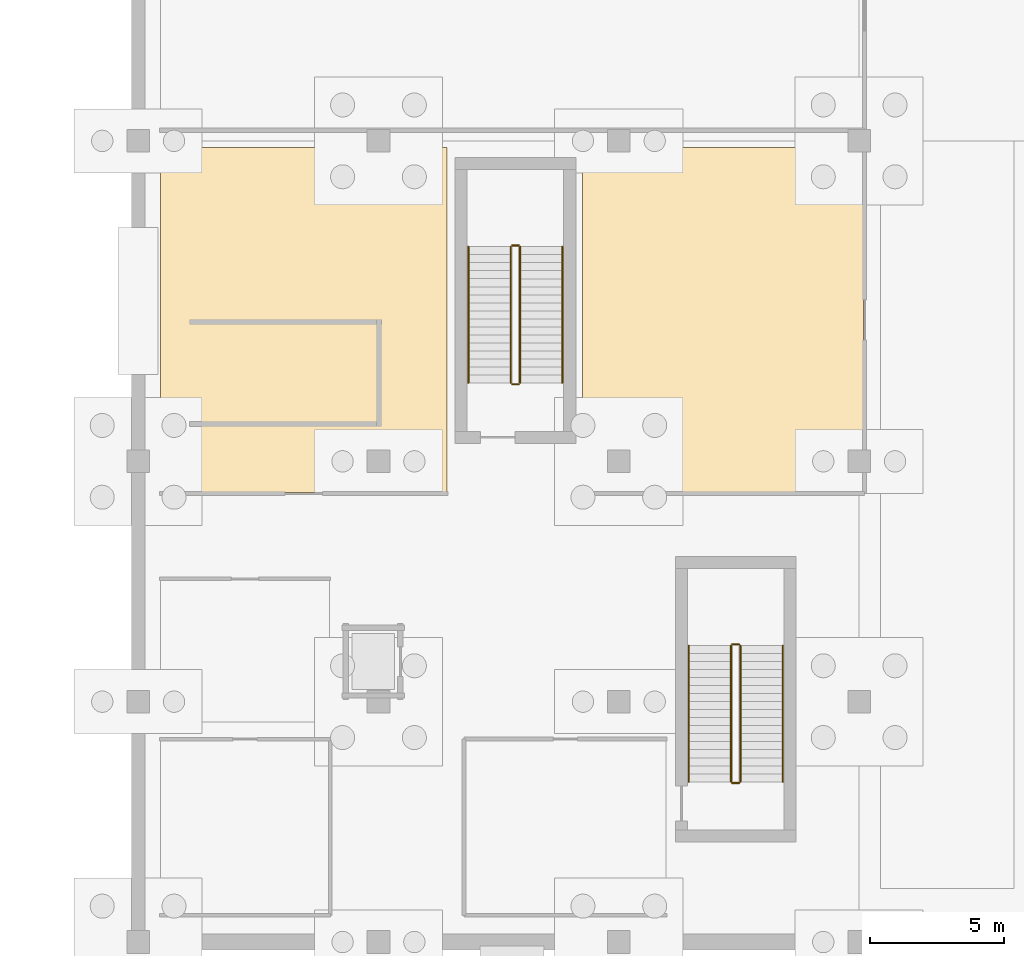
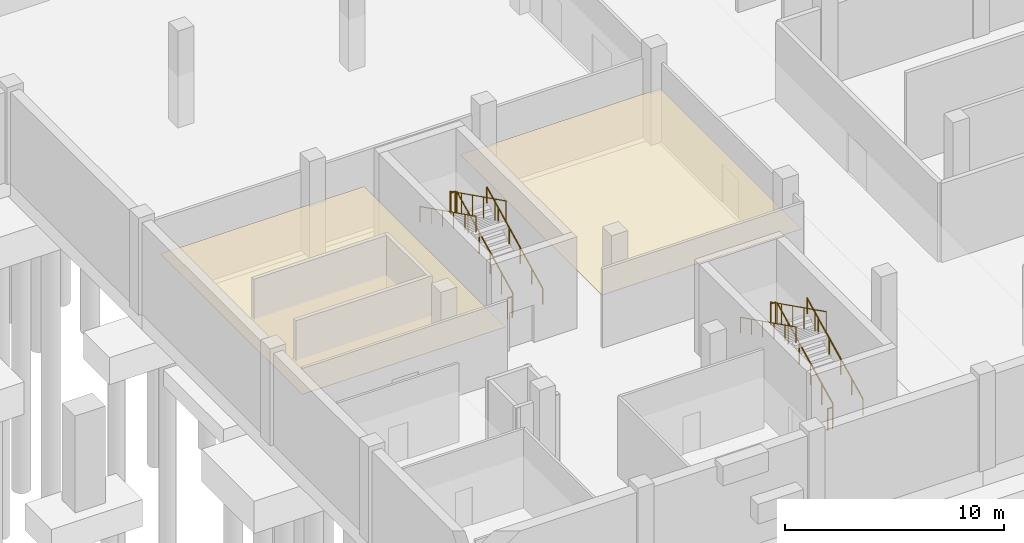
# One storey, part 22 of 26: 12 railings, 2 coverings.
"""IFC4 building model written with IfcOpenShell, lengths in metres."""

from ifc_helpers import new_model, si_unit, direction, frame, origin, origin_2d, place, context, subcontext, project, spatial, polyline, circle, outline, extrude, material, layer, layer_set, type_object, element, save


model = new_model("IFC4")

# Units and contexts
model_context = context("Model", 3, precision=1e-05, world=origin(), true_north=direction((0.0, 1.0)))
body_context = subcontext(model_context, "Body", "Model", "MODEL_VIEW")
ifc_project = project(units=[si_unit("LENGTHUNIT", "METRE"), si_unit("AREAUNIT", "SQUARE_METRE"), si_unit("VOLUMEUNIT", "CUBIC_METRE"), si_unit("PLANEANGLEUNIT", "RADIAN"), si_unit("MASSUNIT", "GRAM", prefix="KILO")], contexts=[model_context])

# Site, building, storey
site_placement = place(None, origin())
site = spatial("IfcSite", under=ifc_project, at=site_placement, CompositionType="ELEMENT")
building_placement = place(site_placement, origin())
building = spatial("IfcBuilding", under=site, at=building_placement, Name="Chuanluo Vaults Station", CompositionType="ELEMENT")
storey_placement = place(building_placement, frame((0.0, 0.0, -5.39990234375)))
storey = spatial("IfcBuildingStorey", under=building, at=storey_placement, Name="B1", CompositionType="ELEMENT", Elevation=-5.39990234375)

# Coverings
ifc_material_1 = material(Name="Acoustic mineral-fibre tile")
ifc_layer = layer(ifc_material_1, 0.02490234375)
ifc_layer_set = layer_set([ifc_layer], Name="Acoustic mineral-fibre tile")
covering_type = type_object("IfcCoveringType", Name="COV-CEIL-TILE", PredefinedType="CEILING", material=ifc_layer_set)
covering_1_placement = place(storey_placement, frame((0.0, 0.0, 2.849853515625)))
element("IfcCovering", 1, at=covering_1_placement, inside=storey, type_object=covering_type, Name="B1-07 suspended acoustic ceiling", PredefinedType="CEILING", context=body_context, shape_type="SweptSolid", body=[
    extrude(outline(polyline([(152.639892578125, 16.840087890625), (163.159912109375, 16.840087890625), (163.159912109375, 29.760009765625), (152.639892578125, 29.760009765625), (152.639892578125, 16.840087890625)])), origin(), (0.0, 0.0, 1.0), 0.025146484375),
])
covering_2_placement = place(storey_placement, frame((0.0, 0.0, 2.849853515625)))
element("IfcCovering", 2, at=covering_2_placement, inside=storey, type_object=covering_type, Name="B1-07B suspended acoustic ceiling", PredefinedType="CEILING", context=body_context, shape_type="SweptSolid", body=[
    extrude(outline(polyline([(136.840087890625, 16.840087890625), (147.56005859375, 16.840087890625), (147.56005859375, 29.760009765625), (136.840087890625, 29.760009765625), (136.840087890625, 16.840087890625)])), origin(), (0.0, 0.0, 1.0), 0.025146484375),
])

# Railings
ifc_material_2 = material(Name="Tempered laminated balustrade glass", Category="glass")
railing_type_1 = type_object("IfcRailingType", Name="RLG-GUARD-1200", PredefinedType="BALUSTRADE", material=ifc_material_2)
railing_1_placement = place(storey_placement, frame((150.302490234375, 20.9375, 0.14990234375)))
element("IfcRailing", 3, at=railing_1_placement, inside=storey, type_object=railing_type_1, Name="B1 ST-04 stair guard 1", PredefinedType="BALUSTRADE", context=body_context, shape_type="SweptSolid", body=[
    extrude(circle(Radius=0.02392578125, at=origin_2d()), frame((0.0, 0.0, 1.17578125), z_axis=(0.0, 0.894427191, 0.4472135955), x_axis=(-1.0, 0.0, 0.0)), (0.0, 0.0, 1.0), 5.7021484375),
    extrude(circle(Radius=0.02099609375, at=origin_2d()), origin(), (0.0, 0.0, 1.0), 1.15185546875),
    extrude(circle(Radius=0.02099609375, at=origin_2d()), frame((0.0, 1.02001953125, 0.510009765625)), (0.0, 0.0, 1.0), 1.15185546875),
    extrude(circle(Radius=0.02099609375, at=origin_2d()), frame((0.0, 2.0400390625, 1.02001953125)), (0.0, 0.0, 1.0), 1.15185546875),
    extrude(circle(Radius=0.02099609375, at=origin_2d()), frame((0.0, 3.06005859375, 1.530029296875)), (0.0, 0.0, 1.0), 1.15185546875),
    extrude(circle(Radius=0.02099609375, at=origin_2d()), frame((0.0, 4.080078125, 2.0400390625)), (0.0, 0.0, 1.0), 1.15185546875),
    extrude(circle(Radius=0.02099609375, at=origin_2d()), frame((0.0, 5.10009765625, 2.550048828125)), (0.0, 0.0, 1.0), 1.15185546875),
])
railing_2_placement = place(storey_placement, frame((150.25244140625, 26.08740234375, 2.699951171875)))
element("IfcRailing", 4, at=railing_2_placement, inside=storey, type_object=railing_type_1, Name="B1 ST-04 stair guard 2", PredefinedType="BALUSTRADE", context=body_context, shape_type="SweptSolid", body=[
    extrude(circle(Radius=0.02392578125, at=origin_2d()), frame((0.0, 0.0, 1.17578125), z_axis=(-1.0, 0.0, 0.0), x_axis=(0.0, -1.0, 0.0)), (0.0, 0.0, 1.0), 0.25),
    extrude(circle(Radius=0.02099609375, at=origin_2d()), origin(), (0.0, 0.0, 1.0), 1.15185546875),
    extrude(circle(Radius=0.02099609375, at=origin_2d()), frame((-0.25, 0.0, 0.0)), (0.0, 0.0, 1.0), 1.15185546875),
])
railing_3_placement = place(storey_placement, frame((149.952392578125, 26.03759765625, 2.849853515625)))
element("IfcRailing", 5, at=railing_3_placement, inside=storey, type_object=railing_type_1, Name="B1 ST-04 stair guard 3", PredefinedType="BALUSTRADE", context=body_context, shape_type="SweptSolid", body=[
    extrude(circle(Radius=0.02392578125, at=origin_2d()), frame((0.0, 0.0, 1.17578125), z_axis=(0.0, -0.894427191, 0.4472135955), x_axis=(1.0, 0.0, 0.0)), (0.0, 0.0, 1.0), 5.7021484375),
    extrude(circle(Radius=0.02099609375, at=origin_2d()), origin(), (0.0, 0.0, 1.0), 1.15185546875),
    extrude(circle(Radius=0.02099609375, at=origin_2d()), frame((0.0, -1.02001953125, 0.510009765625)), (0.0, 0.0, 1.0), 1.15185546875),
    extrude(circle(Radius=0.02099609375, at=origin_2d()), frame((0.0, -2.0400390625, 1.02001953125)), (0.0, 0.0, 1.0), 1.15185546875),
    extrude(circle(Radius=0.02099609375, at=origin_2d()), frame((0.0, -3.06005859375, 1.530029296875)), (0.0, 0.0, 1.0), 1.15185546875),
    extrude(circle(Radius=0.02099609375, at=origin_2d()), frame((0.0, -4.080078125, 2.0400390625)), (0.0, 0.0, 1.0), 1.15185546875),
    extrude(circle(Radius=0.02099609375, at=origin_2d()), frame((0.0, -5.10009765625, 2.550048828125)), (0.0, 0.0, 1.0), 1.15185546875),
])
railing_4_placement = place(storey_placement, frame((150.25244140625, 20.887451171875, 0.0)))
element("IfcRailing", 6, at=railing_4_placement, inside=storey, type_object=railing_type_1, Name="B1 ST-04 stair guard 4", PredefinedType="BALUSTRADE", context=body_context, shape_type="SweptSolid", body=[
    extrude(circle(Radius=0.02392578125, at=origin_2d()), frame((0.0, 0.0, 1.17578125), z_axis=(-1.0, 0.0, 0.0), x_axis=(0.0, -1.0, 0.0)), (0.0, 0.0, 1.0), 0.25),
    extrude(circle(Radius=0.02099609375, at=origin_2d()), origin(), (0.0, 0.0, 1.0), 1.15185546875),
    extrude(circle(Radius=0.02099609375, at=origin_2d()), frame((-0.25, 0.0, 0.0)), (0.0, 0.0, 1.0), 1.15185546875),
])
railing_5_placement = place(storey_placement, frame((158.552490234375, 6.0, 0.14990234375)))
element("IfcRailing", 7, at=railing_5_placement, inside=storey, type_object=railing_type_1, Name="B1 ST-05 stair guard 1", PredefinedType="BALUSTRADE", context=body_context, shape_type="SweptSolid", body=[
    extrude(circle(Radius=0.02392578125, at=origin_2d()), frame((0.0, 0.0, 1.17578125), z_axis=(0.0, 0.894427191, 0.4472135955), x_axis=(-1.0, 0.0, 0.0)), (0.0, 0.0, 1.0), 5.7021484375),
    extrude(circle(Radius=0.02099609375, at=origin_2d()), origin(), (0.0, 0.0, 1.0), 1.15185546875),
    extrude(circle(Radius=0.02099609375, at=origin_2d()), frame((0.0, 1.02001953125, 0.510009765625)), (0.0, 0.0, 1.0), 1.15185546875),
    extrude(circle(Radius=0.02099609375, at=origin_2d()), frame((0.0, 2.0400390625, 1.02001953125)), (0.0, 0.0, 1.0), 1.15185546875),
    extrude(circle(Radius=0.02099609375, at=origin_2d()), frame((0.0, 3.06005859375, 1.530029296875)), (0.0, 0.0, 1.0), 1.15185546875),
    extrude(circle(Radius=0.02099609375, at=origin_2d()), frame((0.0, 4.080078125, 2.0400390625)), (0.0, 0.0, 1.0), 1.15185546875),
    extrude(circle(Radius=0.02099609375, at=origin_2d()), frame((0.0, 5.10009765625, 2.550048828125)), (0.0, 0.0, 1.0), 1.15185546875),
])
railing_6_placement = place(storey_placement, frame((158.50244140625, 11.14990234375, 2.699951171875)))
element("IfcRailing", 8, at=railing_6_placement, inside=storey, type_object=railing_type_1, Name="B1 ST-05 stair guard 2", PredefinedType="BALUSTRADE", context=body_context, shape_type="SweptSolid", body=[
    extrude(circle(Radius=0.02392578125, at=origin_2d()), frame((0.0, 0.0, 1.17578125), z_axis=(-1.0, 0.0, 0.0), x_axis=(0.0, -1.0, 0.0)), (0.0, 0.0, 1.0), 0.25),
    extrude(circle(Radius=0.02099609375, at=origin_2d()), origin(), (0.0, 0.0, 1.0), 1.15185546875),
    extrude(circle(Radius=0.02099609375, at=origin_2d()), frame((-0.25, 0.0, 0.0)), (0.0, 0.0, 1.0), 1.15185546875),
])
railing_7_placement = place(storey_placement, frame((158.202392578125, 11.10009765625, 2.849853515625)))
element("IfcRailing", 9, at=railing_7_placement, inside=storey, type_object=railing_type_1, Name="B1 ST-05 stair guard 3", PredefinedType="BALUSTRADE", context=body_context, shape_type="SweptSolid", body=[
    extrude(circle(Radius=0.02392578125, at=origin_2d()), frame((0.0, 0.0, 1.17578125), z_axis=(0.0, -0.894427191, 0.4472135955), x_axis=(1.0, 0.0, 0.0)), (0.0, 0.0, 1.0), 5.7021484375),
    extrude(circle(Radius=0.02099609375, at=origin_2d()), origin(), (0.0, 0.0, 1.0), 1.15185546875),
    extrude(circle(Radius=0.02099609375, at=origin_2d()), frame((0.0, -1.02001953125, 0.510009765625)), (0.0, 0.0, 1.0), 1.15185546875),
    extrude(circle(Radius=0.02099609375, at=origin_2d()), frame((0.0, -2.0400390625, 1.02001953125)), (0.0, 0.0, 1.0), 1.15185546875),
    extrude(circle(Radius=0.02099609375, at=origin_2d()), frame((0.0, -3.06005859375, 1.530029296875)), (0.0, 0.0, 1.0), 1.15185546875),
    extrude(circle(Radius=0.02099609375, at=origin_2d()), frame((0.0, -4.080078125, 2.0400390625)), (0.0, 0.0, 1.0), 1.15185546875),
    extrude(circle(Radius=0.02099609375, at=origin_2d()), frame((0.0, -5.10009765625, 2.550048828125)), (0.0, 0.0, 1.0), 1.15185546875),
])
railing_8_placement = place(storey_placement, frame((158.50244140625, 5.949951171875, 0.0)))
element("IfcRailing", 10, at=railing_8_placement, inside=storey, type_object=railing_type_1, Name="B1 ST-05 stair guard 4", PredefinedType="BALUSTRADE", context=body_context, shape_type="SweptSolid", body=[
    extrude(circle(Radius=0.02392578125, at=origin_2d()), frame((0.0, 0.0, 1.17578125), z_axis=(-1.0, 0.0, 0.0), x_axis=(0.0, -1.0, 0.0)), (0.0, 0.0, 1.0), 0.25),
    extrude(circle(Radius=0.02099609375, at=origin_2d()), origin(), (0.0, 0.0, 1.0), 1.15185546875),
    extrude(circle(Radius=0.02099609375, at=origin_2d()), frame((-0.25, 0.0, 0.0)), (0.0, 0.0, 1.0), 1.15185546875),
])
ifc_material_3 = material(Name="Brushed stainless steel 304", Category="steel")
railing_type_2 = type_object("IfcRailingType", Name="RLG-HAND-900", PredefinedType="HANDRAIL", material=ifc_material_3)
railing_9_placement = place(storey_placement, frame((151.887451171875, 20.9375, 0.14990234375)))
element("IfcRailing", 11, at=railing_9_placement, inside=storey, type_object=railing_type_2, Name="B1 ST-04 stair handrail 1", PredefinedType="HANDRAIL", context=body_context, shape_type="SweptSolid", body=[
    extrude(circle(Radius=0.02392578125, at=origin_2d()), frame((0.0, 0.0, 0.8759765625), z_axis=(0.0, 0.894427191, 0.4472135955), x_axis=(-1.0, 0.0, 0.0)), (0.0, 0.0, 1.0), 5.7021484375),
    extrude(circle(Radius=0.02099609375, at=origin_2d()), origin(), (0.0, 0.0, 1.0), 0.851806640625),
    extrude(circle(Radius=0.02099609375, at=origin_2d()), frame((0.0, 1.02001953125, 0.510009765625)), (0.0, 0.0, 1.0), 0.851806640625),
    extrude(circle(Radius=0.02099609375, at=origin_2d()), frame((0.0, 2.0400390625, 1.02001953125)), (0.0, 0.0, 1.0), 0.851806640625),
    extrude(circle(Radius=0.02099609375, at=origin_2d()), frame((0.0, 3.06005859375, 1.530029296875)), (0.0, 0.0, 1.0), 0.851806640625),
    extrude(circle(Radius=0.02099609375, at=origin_2d()), frame((0.0, 4.080078125, 2.0400390625)), (0.0, 0.0, 1.0), 0.851806640625),
    extrude(circle(Radius=0.02099609375, at=origin_2d()), frame((0.0, 5.10009765625, 2.550048828125)), (0.0, 0.0, 1.0), 0.851806640625),
])
railing_10_placement = place(storey_placement, frame((148.367431640625, 26.03759765625, 2.849853515625)))
element("IfcRailing", 12, at=railing_10_placement, inside=storey, type_object=railing_type_2, Name="B1 ST-04 stair handrail 2", PredefinedType="HANDRAIL", context=body_context, shape_type="SweptSolid", body=[
    extrude(circle(Radius=0.02392578125, at=origin_2d()), frame((0.0, 0.0, 0.8759765625), z_axis=(0.0, -0.894427191, 0.4472135955), x_axis=(1.0, 0.0, 0.0)), (0.0, 0.0, 1.0), 5.7021484375),
    extrude(circle(Radius=0.02099609375, at=origin_2d()), origin(), (0.0, 0.0, 1.0), 0.851806640625),
    extrude(circle(Radius=0.02099609375, at=origin_2d()), frame((0.0, -1.02001953125, 0.510009765625)), (0.0, 0.0, 1.0), 0.851806640625),
    extrude(circle(Radius=0.02099609375, at=origin_2d()), frame((0.0, -2.0400390625, 1.02001953125)), (0.0, 0.0, 1.0), 0.851806640625),
    extrude(circle(Radius=0.02099609375, at=origin_2d()), frame((0.0, -3.06005859375, 1.530029296875)), (0.0, 0.0, 1.0), 0.851806640625),
    extrude(circle(Radius=0.02099609375, at=origin_2d()), frame((0.0, -4.080078125, 2.0400390625)), (0.0, 0.0, 1.0), 0.851806640625),
    extrude(circle(Radius=0.02099609375, at=origin_2d()), frame((0.0, -5.10009765625, 2.550048828125)), (0.0, 0.0, 1.0), 0.851806640625),
])
railing_11_placement = place(storey_placement, frame((160.137451171875, 6.0, 0.14990234375)))
element("IfcRailing", 13, at=railing_11_placement, inside=storey, type_object=railing_type_2, Name="B1 ST-05 stair handrail 1", PredefinedType="HANDRAIL", context=body_context, shape_type="SweptSolid", body=[
    extrude(circle(Radius=0.02392578125, at=origin_2d()), frame((0.0, 0.0, 0.8759765625), z_axis=(0.0, 0.894427191, 0.4472135955), x_axis=(-1.0, 0.0, 0.0)), (0.0, 0.0, 1.0), 5.7021484375),
    extrude(circle(Radius=0.02099609375, at=origin_2d()), origin(), (0.0, 0.0, 1.0), 0.851806640625),
    extrude(circle(Radius=0.02099609375, at=origin_2d()), frame((0.0, 1.02001953125, 0.510009765625)), (0.0, 0.0, 1.0), 0.851806640625),
    extrude(circle(Radius=0.02099609375, at=origin_2d()), frame((0.0, 2.0400390625, 1.02001953125)), (0.0, 0.0, 1.0), 0.851806640625),
    extrude(circle(Radius=0.02099609375, at=origin_2d()), frame((0.0, 3.06005859375, 1.530029296875)), (0.0, 0.0, 1.0), 0.851806640625),
    extrude(circle(Radius=0.02099609375, at=origin_2d()), frame((0.0, 4.080078125, 2.0400390625)), (0.0, 0.0, 1.0), 0.851806640625),
    extrude(circle(Radius=0.02099609375, at=origin_2d()), frame((0.0, 5.10009765625, 2.550048828125)), (0.0, 0.0, 1.0), 0.851806640625),
])
railing_12_placement = place(storey_placement, frame((156.617431640625, 11.10009765625, 2.849853515625)))
element("IfcRailing", 14, at=railing_12_placement, inside=storey, type_object=railing_type_2, Name="B1 ST-05 stair handrail 2", PredefinedType="HANDRAIL", context=body_context, shape_type="SweptSolid", body=[
    extrude(circle(Radius=0.02392578125, at=origin_2d()), frame((0.0, 0.0, 0.8759765625), z_axis=(0.0, -0.894427191, 0.4472135955), x_axis=(1.0, 0.0, 0.0)), (0.0, 0.0, 1.0), 5.7021484375),
    extrude(circle(Radius=0.02099609375, at=origin_2d()), origin(), (0.0, 0.0, 1.0), 0.851806640625),
    extrude(circle(Radius=0.02099609375, at=origin_2d()), frame((0.0, -1.02001953125, 0.510009765625)), (0.0, 0.0, 1.0), 0.851806640625),
    extrude(circle(Radius=0.02099609375, at=origin_2d()), frame((0.0, -2.0400390625, 1.02001953125)), (0.0, 0.0, 1.0), 0.851806640625),
    extrude(circle(Radius=0.02099609375, at=origin_2d()), frame((0.0, -3.06005859375, 1.530029296875)), (0.0, 0.0, 1.0), 0.851806640625),
    extrude(circle(Radius=0.02099609375, at=origin_2d()), frame((0.0, -4.080078125, 2.0400390625)), (0.0, 0.0, 1.0), 0.851806640625),
    extrude(circle(Radius=0.02099609375, at=origin_2d()), frame((0.0, -5.10009765625, 2.550048828125)), (0.0, 0.0, 1.0), 0.851806640625),
])

save(model, "model.ifc")
